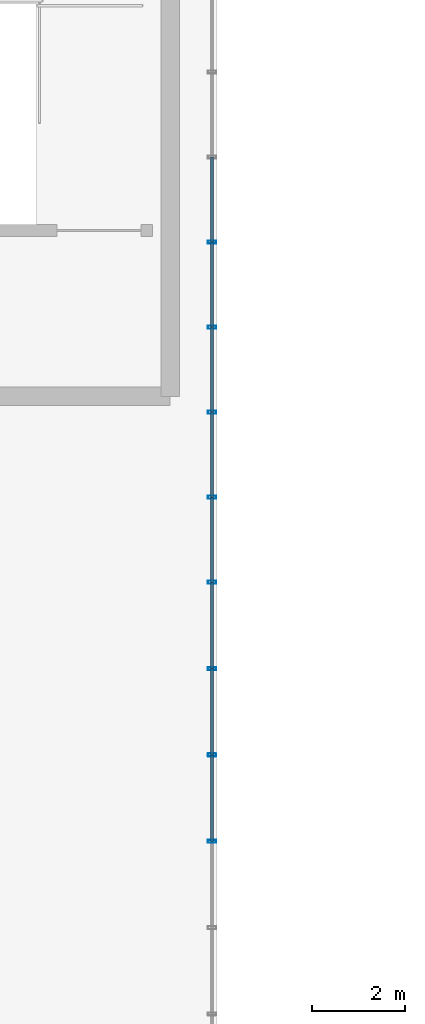
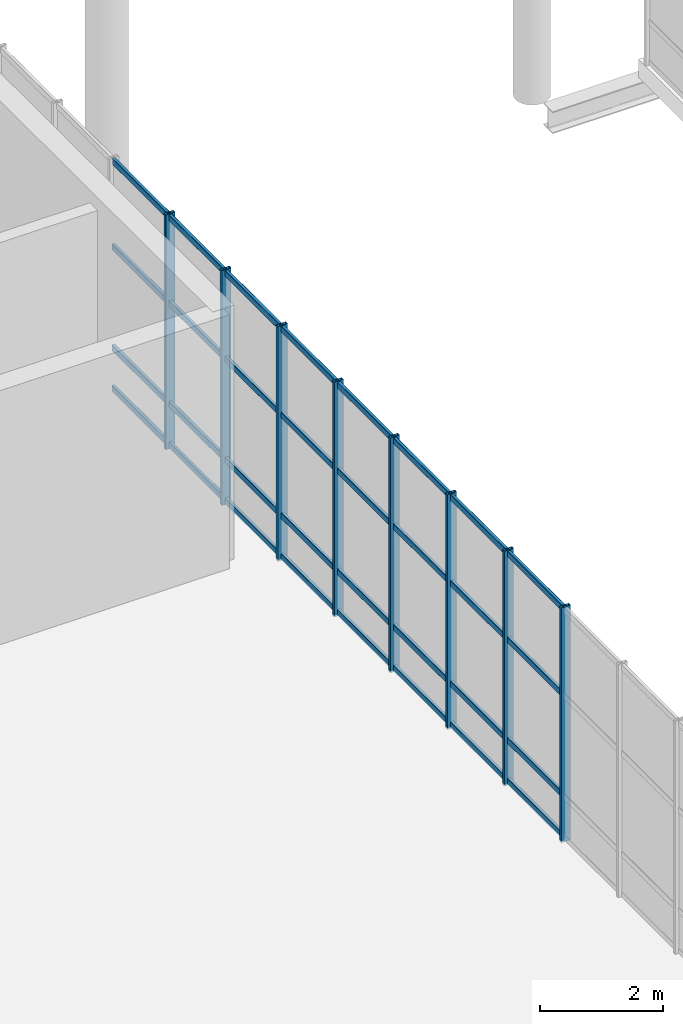
# One storey, part 107 of 176: 40 members, 2 elements without a shape of their own.
"""IFC4 building model written with IfcOpenShell, lengths in metres."""

from ifc_helpers import new_model, si_unit, direction, frame, origin, origin_2d, place, context, subcontext, project, spatial, hollow_rectangle, extrude, material, layer, layer_set, material_profile, profile_set, type_object, element, aggregate, save


model = new_model("IFC4")

# Units and contexts
model_context = context("Model", 3, precision=1e-05, world=origin(), true_north=direction((0.0, 1.0)))
body_context = subcontext(model_context, "Body", "Model", "MODEL_VIEW")
ifc_project = project(units=[si_unit("LENGTHUNIT", "METRE"), si_unit("AREAUNIT", "SQUARE_METRE"), si_unit("VOLUMEUNIT", "CUBIC_METRE"), si_unit("PLANEANGLEUNIT", "RADIAN"), si_unit("MASSUNIT", "GRAM", prefix="KILO")], contexts=[model_context])

# Site, building, storey
site_placement = place(None, origin())
site = spatial("IfcSite", under=ifc_project, at=site_placement, CompositionType="ELEMENT")
building_placement = place(site_placement, origin())
building = spatial("IfcBuilding", under=site, at=building_placement, Name="Khorjan Park Terminus", CompositionType="ELEMENT")
storey_placement = place(building_placement, frame((0.0, 0.0, 6.0)))
storey = spatial("IfcBuildingStorey", under=building, at=storey_placement, Name="L01", CompositionType="ELEMENT", Elevation=6.0)

# Curtain wall, members
ifc_material = material(Name="Anodized Bronze Aluminium", Category="aluminium")
ifc_layer = layer(ifc_material, 0.22)
ifc_layer_set = layer_set([ifc_layer], Name="Anodized Bronze Aluminium")
curtain_wall_type = type_object("IfcCurtainWallType", Name="CW-BRG-D", PredefinedType="NOTDEFINED", material=ifc_layer_set)
curtain_wall_1_placement = place(storey_placement, origin())
curtain_wall_1 = element("IfcCurtainWall", 1, at=curtain_wall_1_placement, inside=storey, type_object=curtain_wall_type, Name="Unitized curtain wall CW-D (CW-BRW-E-3)", PredefinedType="NOTDEFINED")
ifc_material_profile_1 = material_profile(ifc_material, hollow_rectangle(XDim=0.065, YDim=0.18, WallThickness=0.004, InnerFilletRadius=0.004, OuterFilletRadius=0.008, at=origin_2d()), Name="ALM 65x180x4")
ifc_profile_set_1 = profile_set([ifc_material_profile_1], Name="Anodized Bronze Aluminium")
member_type_1 = type_object("IfcMemberType", Name="ML-ALM-180", PredefinedType="MULLION", material=ifc_profile_set_1)
member_1_placement = place(storey_placement, frame((85.9, 135.4286, -0.035), z_axis=(0.0, 0.0, 1.0), x_axis=(0.0, 1.0, 0.0)))
member_1 = element("IfcMember", 2, at=member_1_placement, type_object=member_type_1, Name="Curtain-wall mullion ML-18 (CW-BRW-E-3-4)", PredefinedType="MULLION", context=body_context, shape_type="SweptSolid", body=[
    extrude(hollow_rectangle(XDim=0.065, YDim=0.18, WallThickness=0.004, InnerFilletRadius=0.004, OuterFilletRadius=0.008, at=origin_2d()), origin(), (0.0, 0.0, 1.0), 4.67),
])
member_2_placement = place(storey_placement, frame((85.9, 137.2857, -0.035), z_axis=(0.0, 0.0, 1.0), x_axis=(0.0, 1.0, 0.0)))
member_2 = element("IfcMember", 3, at=member_2_placement, type_object=member_type_1, Name="Curtain-wall mullion ML-18 (CW-BRW-E-3-5)", PredefinedType="MULLION", context=body_context, shape_type="SweptSolid", body=[
    extrude(hollow_rectangle(XDim=0.065, YDim=0.18, WallThickness=0.004, InnerFilletRadius=0.004, OuterFilletRadius=0.008, at=origin_2d()), origin(), (0.0, 0.0, 1.0), 4.67),
])
member_3_placement = place(storey_placement, frame((85.9, 139.1429, -0.035), z_axis=(0.0, 0.0, 1.0), x_axis=(0.0, 1.0, 0.0)))
member_3 = element("IfcMember", 4, at=member_3_placement, type_object=member_type_1, Name="Curtain-wall mullion ML-18 (CW-BRW-E-3-6)", PredefinedType="MULLION", context=body_context, shape_type="SweptSolid", body=[
    extrude(hollow_rectangle(XDim=0.065, YDim=0.18, WallThickness=0.004, InnerFilletRadius=0.004, OuterFilletRadius=0.008, at=origin_2d()), origin(), (0.0, 0.0, 1.0), 4.67),
])
member_4_placement = place(storey_placement, frame((85.9, 141.0, -0.035), z_axis=(0.0, 0.0, 1.0), x_axis=(0.0, 1.0, 0.0)))
member_4 = element("IfcMember", 5, at=member_4_placement, type_object=member_type_1, Name="Curtain-wall mullion ML-18 (CW-BRW-E-3-7)", PredefinedType="MULLION", context=body_context, shape_type="SweptSolid", body=[
    extrude(hollow_rectangle(XDim=0.065, YDim=0.18, WallThickness=0.004, InnerFilletRadius=0.004, OuterFilletRadius=0.008, at=origin_2d()), origin(), (0.0, 0.0, 1.0), 4.67),
])

curtain_wall_2_placement = place(storey_placement, origin())
curtain_wall_2 = element("IfcCurtainWall", 6, at=curtain_wall_2_placement, inside=storey, type_object=curtain_wall_type, Name="Unitized curtain wall CW-D (CW-BRW-E-4)", PredefinedType="NOTDEFINED")
member_5_placement = place(storey_placement, frame((85.9, 142.8286, -0.035), z_axis=(0.0, 0.0, 1.0), x_axis=(0.0, 1.0, 0.0)))
member_5 = element("IfcMember", 7, at=member_5_placement, type_object=member_type_1, Name="Curtain-wall mullion ML-18 (CW-BRW-E-4-1)", PredefinedType="MULLION", context=body_context, shape_type="SweptSolid", body=[
    extrude(hollow_rectangle(XDim=0.065, YDim=0.18, WallThickness=0.004, InnerFilletRadius=0.004, OuterFilletRadius=0.008, at=origin_2d()), origin(), (0.0, 0.0, 1.0), 4.67),
])
member_6_placement = place(storey_placement, frame((85.9, 144.6571, -0.035), z_axis=(0.0, 0.0, 1.0), x_axis=(0.0, 1.0, 0.0)))
member_6 = element("IfcMember", 8, at=member_6_placement, type_object=member_type_1, Name="Curtain-wall mullion ML-18 (CW-BRW-E-4-2)", PredefinedType="MULLION", context=body_context, shape_type="SweptSolid", body=[
    extrude(hollow_rectangle(XDim=0.065, YDim=0.18, WallThickness=0.004, InnerFilletRadius=0.004, OuterFilletRadius=0.008, at=origin_2d()), origin(), (0.0, 0.0, 1.0), 4.67),
])
member_7_placement = place(storey_placement, frame((85.9, 146.4857, -0.035), z_axis=(0.0, 0.0, 1.0), x_axis=(0.0, 1.0, 0.0)))
member_7 = element("IfcMember", 9, at=member_7_placement, type_object=member_type_1, Name="Curtain-wall mullion ML-18 (CW-BRW-E-4-3)", PredefinedType="MULLION", context=body_context, shape_type="SweptSolid", body=[
    extrude(hollow_rectangle(XDim=0.065, YDim=0.18, WallThickness=0.004, InnerFilletRadius=0.004, OuterFilletRadius=0.008, at=origin_2d()), origin(), (0.0, 0.0, 1.0), 4.67),
])
member_8_placement = place(storey_placement, frame((85.9, 148.3143, -0.035), z_axis=(0.0, 0.0, 1.0), x_axis=(0.0, 1.0, 0.0)))
member_8 = element("IfcMember", 10, at=member_8_placement, type_object=member_type_1, Name="Curtain-wall mullion ML-18 (CW-BRW-E-4-4)", PredefinedType="MULLION", context=body_context, shape_type="SweptSolid", body=[
    extrude(hollow_rectangle(XDim=0.065, YDim=0.18, WallThickness=0.004, InnerFilletRadius=0.004, OuterFilletRadius=0.008, at=origin_2d()), origin(), (0.0, 0.0, 1.0), 4.67),
])

# Member
ifc_material_profile_2 = material_profile(ifc_material, hollow_rectangle(XDim=0.06, YDim=0.12, WallThickness=0.004, InnerFilletRadius=0.004, OuterFilletRadius=0.008, at=origin_2d()), Name="ALT 60x120x4")
ifc_profile_set_2 = profile_set([ifc_material_profile_2], Name="Anodized Bronze Aluminium")
member_type_2 = type_object("IfcMemberType", Name="TR-ALT-120", PredefinedType="USERDEFINED", material=ifc_profile_set_2)
member_9_placement = place(storey_placement, frame((85.9, 135.4286, 0.04), z_axis=(0.0, 1.0, 0.0), x_axis=(-1.0, 0.0, 0.0)))
member_9 = element("IfcMember", 11, at=member_9_placement, type_object=member_type_2, Name="Curtain-wall transom TR-12 (CW-BRW-E-3-4-1)", ObjectType="TRANSOM", PredefinedType="USERDEFINED", context=body_context, shape_type="SweptSolid", body=[
    extrude(hollow_rectangle(XDim=0.06, YDim=0.12, WallThickness=0.004, InnerFilletRadius=0.004, OuterFilletRadius=0.008, at=origin_2d()), origin(), (0.0, 0.0, 1.0), 1.8571),
])

member_10_placement = place(storey_placement, frame((85.9, 135.4286, 0.85), z_axis=(0.0, 1.0, 0.0), x_axis=(-1.0, 0.0, 0.0)))
member_10 = element("IfcMember", 12, at=member_10_placement, type_object=member_type_2, Name="Curtain-wall transom TR-12 (CW-BRW-E-3-4-2)", ObjectType="TRANSOM", PredefinedType="USERDEFINED", context=body_context, shape_type="SweptSolid", body=[
    extrude(hollow_rectangle(XDim=0.06, YDim=0.12, WallThickness=0.004, InnerFilletRadius=0.004, OuterFilletRadius=0.008, at=origin_2d()), origin(), (0.0, 0.0, 1.0), 1.8571),
])

member_11_placement = place(storey_placement, frame((85.9, 135.4286, 2.852), z_axis=(0.0, 1.0, 0.0), x_axis=(-1.0, 0.0, 0.0)))
member_11 = element("IfcMember", 13, at=member_11_placement, type_object=member_type_2, Name="Curtain-wall transom TR-12 (CW-BRW-E-3-4-3)", ObjectType="TRANSOM", PredefinedType="USERDEFINED", context=body_context, shape_type="SweptSolid", body=[
    extrude(hollow_rectangle(XDim=0.06, YDim=0.12, WallThickness=0.004, InnerFilletRadius=0.004, OuterFilletRadius=0.008, at=origin_2d()), origin(), (0.0, 0.0, 1.0), 1.8571),
])

member_12_placement = place(storey_placement, frame((85.9, 135.4286, 4.56), z_axis=(0.0, 1.0, 0.0), x_axis=(-1.0, 0.0, 0.0)))
member_12 = element("IfcMember", 14, at=member_12_placement, type_object=member_type_2, Name="Curtain-wall transom TR-12 (CW-BRW-E-3-4-4)", ObjectType="TRANSOM", PredefinedType="USERDEFINED", context=body_context, shape_type="SweptSolid", body=[
    extrude(hollow_rectangle(XDim=0.06, YDim=0.12, WallThickness=0.004, InnerFilletRadius=0.004, OuterFilletRadius=0.008, at=origin_2d()), origin(), (0.0, 0.0, 1.0), 1.8571),
])

member_13_placement = place(storey_placement, frame((85.9, 137.2857, 0.04), z_axis=(0.0, 1.0, 0.0), x_axis=(-1.0, 0.0, 0.0)))
member_13 = element("IfcMember", 15, at=member_13_placement, type_object=member_type_2, Name="Curtain-wall transom TR-12 (CW-BRW-E-3-5-1)", ObjectType="TRANSOM", PredefinedType="USERDEFINED", context=body_context, shape_type="SweptSolid", body=[
    extrude(hollow_rectangle(XDim=0.06, YDim=0.12, WallThickness=0.004, InnerFilletRadius=0.004, OuterFilletRadius=0.008, at=origin_2d()), origin(), (0.0, 0.0, 1.0), 1.8572),
])

member_14_placement = place(storey_placement, frame((85.9, 137.2857, 0.85), z_axis=(0.0, 1.0, 0.0), x_axis=(-1.0, 0.0, 0.0)))
member_14 = element("IfcMember", 16, at=member_14_placement, type_object=member_type_2, Name="Curtain-wall transom TR-12 (CW-BRW-E-3-5-2)", ObjectType="TRANSOM", PredefinedType="USERDEFINED", context=body_context, shape_type="SweptSolid", body=[
    extrude(hollow_rectangle(XDim=0.06, YDim=0.12, WallThickness=0.004, InnerFilletRadius=0.004, OuterFilletRadius=0.008, at=origin_2d()), origin(), (0.0, 0.0, 1.0), 1.8572),
])

member_15_placement = place(storey_placement, frame((85.9, 137.2857, 2.852), z_axis=(0.0, 1.0, 0.0), x_axis=(-1.0, 0.0, 0.0)))
member_15 = element("IfcMember", 17, at=member_15_placement, type_object=member_type_2, Name="Curtain-wall transom TR-12 (CW-BRW-E-3-5-3)", ObjectType="TRANSOM", PredefinedType="USERDEFINED", context=body_context, shape_type="SweptSolid", body=[
    extrude(hollow_rectangle(XDim=0.06, YDim=0.12, WallThickness=0.004, InnerFilletRadius=0.004, OuterFilletRadius=0.008, at=origin_2d()), origin(), (0.0, 0.0, 1.0), 1.8572),
])

member_16_placement = place(storey_placement, frame((85.9, 137.2857, 4.56), z_axis=(0.0, 1.0, 0.0), x_axis=(-1.0, 0.0, 0.0)))
member_16 = element("IfcMember", 18, at=member_16_placement, type_object=member_type_2, Name="Curtain-wall transom TR-12 (CW-BRW-E-3-5-4)", ObjectType="TRANSOM", PredefinedType="USERDEFINED", context=body_context, shape_type="SweptSolid", body=[
    extrude(hollow_rectangle(XDim=0.06, YDim=0.12, WallThickness=0.004, InnerFilletRadius=0.004, OuterFilletRadius=0.008, at=origin_2d()), origin(), (0.0, 0.0, 1.0), 1.8572),
])

member_17_placement = place(storey_placement, frame((85.9, 139.1429, 0.04), z_axis=(0.0, 1.0, 0.0), x_axis=(-1.0, 0.0, 0.0)))
member_17 = element("IfcMember", 19, at=member_17_placement, type_object=member_type_2, Name="Curtain-wall transom TR-12 (CW-BRW-E-3-6-1)", ObjectType="TRANSOM", PredefinedType="USERDEFINED", context=body_context, shape_type="SweptSolid", body=[
    extrude(hollow_rectangle(XDim=0.06, YDim=0.12, WallThickness=0.004, InnerFilletRadius=0.004, OuterFilletRadius=0.008, at=origin_2d()), origin(), (0.0, 0.0, 1.0), 1.8571),
])

member_18_placement = place(storey_placement, frame((85.9, 139.1429, 0.85), z_axis=(0.0, 1.0, 0.0), x_axis=(-1.0, 0.0, 0.0)))
member_18 = element("IfcMember", 20, at=member_18_placement, type_object=member_type_2, Name="Curtain-wall transom TR-12 (CW-BRW-E-3-6-2)", ObjectType="TRANSOM", PredefinedType="USERDEFINED", context=body_context, shape_type="SweptSolid", body=[
    extrude(hollow_rectangle(XDim=0.06, YDim=0.12, WallThickness=0.004, InnerFilletRadius=0.004, OuterFilletRadius=0.008, at=origin_2d()), origin(), (0.0, 0.0, 1.0), 1.8571),
])

member_19_placement = place(storey_placement, frame((85.9, 139.1429, 2.852), z_axis=(0.0, 1.0, 0.0), x_axis=(-1.0, 0.0, 0.0)))
member_19 = element("IfcMember", 21, at=member_19_placement, type_object=member_type_2, Name="Curtain-wall transom TR-12 (CW-BRW-E-3-6-3)", ObjectType="TRANSOM", PredefinedType="USERDEFINED", context=body_context, shape_type="SweptSolid", body=[
    extrude(hollow_rectangle(XDim=0.06, YDim=0.12, WallThickness=0.004, InnerFilletRadius=0.004, OuterFilletRadius=0.008, at=origin_2d()), origin(), (0.0, 0.0, 1.0), 1.8571),
])

member_20_placement = place(storey_placement, frame((85.9, 139.1429, 4.56), z_axis=(0.0, 1.0, 0.0), x_axis=(-1.0, 0.0, 0.0)))
member_20 = element("IfcMember", 22, at=member_20_placement, type_object=member_type_2, Name="Curtain-wall transom TR-12 (CW-BRW-E-3-6-4)", ObjectType="TRANSOM", PredefinedType="USERDEFINED", context=body_context, shape_type="SweptSolid", body=[
    extrude(hollow_rectangle(XDim=0.06, YDim=0.12, WallThickness=0.004, InnerFilletRadius=0.004, OuterFilletRadius=0.008, at=origin_2d()), origin(), (0.0, 0.0, 1.0), 1.8571),
])

aggregate(curtain_wall_1, [member_1, member_2, member_3, member_4, member_9, member_10, member_11, member_12, member_13, member_14, member_15, member_16, member_17, member_18, member_19, member_20])

member_21_placement = place(storey_placement, frame((85.9, 141.0, 0.04), z_axis=(0.0, 1.0, 0.0), x_axis=(-1.0, 0.0, 0.0)))
member_21 = element("IfcMember", 23, at=member_21_placement, type_object=member_type_2, Name="Curtain-wall transom TR-12 (CW-BRW-E-4-0-1)", ObjectType="TRANSOM", PredefinedType="USERDEFINED", context=body_context, shape_type="SweptSolid", body=[
    extrude(hollow_rectangle(XDim=0.06, YDim=0.12, WallThickness=0.004, InnerFilletRadius=0.004, OuterFilletRadius=0.008, at=origin_2d()), origin(), (0.0, 0.0, 1.0), 1.8286),
])

member_22_placement = place(storey_placement, frame((85.9, 141.0, 0.85), z_axis=(0.0, 1.0, 0.0), x_axis=(-1.0, 0.0, 0.0)))
member_22 = element("IfcMember", 24, at=member_22_placement, type_object=member_type_2, Name="Curtain-wall transom TR-12 (CW-BRW-E-4-0-2)", ObjectType="TRANSOM", PredefinedType="USERDEFINED", context=body_context, shape_type="SweptSolid", body=[
    extrude(hollow_rectangle(XDim=0.06, YDim=0.12, WallThickness=0.004, InnerFilletRadius=0.004, OuterFilletRadius=0.008, at=origin_2d()), origin(), (0.0, 0.0, 1.0), 1.8286),
])

member_23_placement = place(storey_placement, frame((85.9, 141.0, 2.852), z_axis=(0.0, 1.0, 0.0), x_axis=(-1.0, 0.0, 0.0)))
member_23 = element("IfcMember", 25, at=member_23_placement, type_object=member_type_2, Name="Curtain-wall transom TR-12 (CW-BRW-E-4-0-3)", ObjectType="TRANSOM", PredefinedType="USERDEFINED", context=body_context, shape_type="SweptSolid", body=[
    extrude(hollow_rectangle(XDim=0.06, YDim=0.12, WallThickness=0.004, InnerFilletRadius=0.004, OuterFilletRadius=0.008, at=origin_2d()), origin(), (0.0, 0.0, 1.0), 1.8286),
])

member_24_placement = place(storey_placement, frame((85.9, 141.0, 4.56), z_axis=(0.0, 1.0, 0.0), x_axis=(-1.0, 0.0, 0.0)))
member_24 = element("IfcMember", 26, at=member_24_placement, type_object=member_type_2, Name="Curtain-wall transom TR-12 (CW-BRW-E-4-0-4)", ObjectType="TRANSOM", PredefinedType="USERDEFINED", context=body_context, shape_type="SweptSolid", body=[
    extrude(hollow_rectangle(XDim=0.06, YDim=0.12, WallThickness=0.004, InnerFilletRadius=0.004, OuterFilletRadius=0.008, at=origin_2d()), origin(), (0.0, 0.0, 1.0), 1.8286),
])

member_25_placement = place(storey_placement, frame((85.9, 142.8286, 0.04), z_axis=(0.0, 1.0, 0.0), x_axis=(-1.0, 0.0, 0.0)))
member_25 = element("IfcMember", 27, at=member_25_placement, type_object=member_type_2, Name="Curtain-wall transom TR-12 (CW-BRW-E-4-1-1)", ObjectType="TRANSOM", PredefinedType="USERDEFINED", context=body_context, shape_type="SweptSolid", body=[
    extrude(hollow_rectangle(XDim=0.06, YDim=0.12, WallThickness=0.004, InnerFilletRadius=0.004, OuterFilletRadius=0.008, at=origin_2d()), origin(), (0.0, 0.0, 1.0), 1.8285),
])

member_26_placement = place(storey_placement, frame((85.9, 142.8286, 0.85), z_axis=(0.0, 1.0, 0.0), x_axis=(-1.0, 0.0, 0.0)))
member_26 = element("IfcMember", 28, at=member_26_placement, type_object=member_type_2, Name="Curtain-wall transom TR-12 (CW-BRW-E-4-1-2)", ObjectType="TRANSOM", PredefinedType="USERDEFINED", context=body_context, shape_type="SweptSolid", body=[
    extrude(hollow_rectangle(XDim=0.06, YDim=0.12, WallThickness=0.004, InnerFilletRadius=0.004, OuterFilletRadius=0.008, at=origin_2d()), origin(), (0.0, 0.0, 1.0), 1.8285),
])

member_27_placement = place(storey_placement, frame((85.9, 142.8286, 2.852), z_axis=(0.0, 1.0, 0.0), x_axis=(-1.0, 0.0, 0.0)))
member_27 = element("IfcMember", 29, at=member_27_placement, type_object=member_type_2, Name="Curtain-wall transom TR-12 (CW-BRW-E-4-1-3)", ObjectType="TRANSOM", PredefinedType="USERDEFINED", context=body_context, shape_type="SweptSolid", body=[
    extrude(hollow_rectangle(XDim=0.06, YDim=0.12, WallThickness=0.004, InnerFilletRadius=0.004, OuterFilletRadius=0.008, at=origin_2d()), origin(), (0.0, 0.0, 1.0), 1.8285),
])

member_28_placement = place(storey_placement, frame((85.9, 142.8286, 4.56), z_axis=(0.0, 1.0, 0.0), x_axis=(-1.0, 0.0, 0.0)))
member_28 = element("IfcMember", 30, at=member_28_placement, type_object=member_type_2, Name="Curtain-wall transom TR-12 (CW-BRW-E-4-1-4)", ObjectType="TRANSOM", PredefinedType="USERDEFINED", context=body_context, shape_type="SweptSolid", body=[
    extrude(hollow_rectangle(XDim=0.06, YDim=0.12, WallThickness=0.004, InnerFilletRadius=0.004, OuterFilletRadius=0.008, at=origin_2d()), origin(), (0.0, 0.0, 1.0), 1.8285),
])

member_29_placement = place(storey_placement, frame((85.9, 144.6571, 0.04), z_axis=(0.0, 1.0, 0.0), x_axis=(-1.0, 0.0, 0.0)))
member_29 = element("IfcMember", 31, at=member_29_placement, type_object=member_type_2, Name="Curtain-wall transom TR-12 (CW-BRW-E-4-2-1)", ObjectType="TRANSOM", PredefinedType="USERDEFINED", context=body_context, shape_type="SweptSolid", body=[
    extrude(hollow_rectangle(XDim=0.06, YDim=0.12, WallThickness=0.004, InnerFilletRadius=0.004, OuterFilletRadius=0.008, at=origin_2d()), origin(), (0.0, 0.0, 1.0), 1.8286),
])

member_30_placement = place(storey_placement, frame((85.9, 144.6571, 0.85), z_axis=(0.0, 1.0, 0.0), x_axis=(-1.0, 0.0, 0.0)))
member_30 = element("IfcMember", 32, at=member_30_placement, type_object=member_type_2, Name="Curtain-wall transom TR-12 (CW-BRW-E-4-2-2)", ObjectType="TRANSOM", PredefinedType="USERDEFINED", context=body_context, shape_type="SweptSolid", body=[
    extrude(hollow_rectangle(XDim=0.06, YDim=0.12, WallThickness=0.004, InnerFilletRadius=0.004, OuterFilletRadius=0.008, at=origin_2d()), origin(), (0.0, 0.0, 1.0), 1.8286),
])

member_31_placement = place(storey_placement, frame((85.9, 144.6571, 2.852), z_axis=(0.0, 1.0, 0.0), x_axis=(-1.0, 0.0, 0.0)))
member_31 = element("IfcMember", 33, at=member_31_placement, type_object=member_type_2, Name="Curtain-wall transom TR-12 (CW-BRW-E-4-2-3)", ObjectType="TRANSOM", PredefinedType="USERDEFINED", context=body_context, shape_type="SweptSolid", body=[
    extrude(hollow_rectangle(XDim=0.06, YDim=0.12, WallThickness=0.004, InnerFilletRadius=0.004, OuterFilletRadius=0.008, at=origin_2d()), origin(), (0.0, 0.0, 1.0), 1.8286),
])

member_32_placement = place(storey_placement, frame((85.9, 144.6571, 4.56), z_axis=(0.0, 1.0, 0.0), x_axis=(-1.0, 0.0, 0.0)))
member_32 = element("IfcMember", 34, at=member_32_placement, type_object=member_type_2, Name="Curtain-wall transom TR-12 (CW-BRW-E-4-2-4)", ObjectType="TRANSOM", PredefinedType="USERDEFINED", context=body_context, shape_type="SweptSolid", body=[
    extrude(hollow_rectangle(XDim=0.06, YDim=0.12, WallThickness=0.004, InnerFilletRadius=0.004, OuterFilletRadius=0.008, at=origin_2d()), origin(), (0.0, 0.0, 1.0), 1.8286),
])

member_33_placement = place(storey_placement, frame((85.9, 146.4857, 0.04), z_axis=(0.0, 1.0, 0.0), x_axis=(-1.0, 0.0, 0.0)))
member_33 = element("IfcMember", 35, at=member_33_placement, type_object=member_type_2, Name="Curtain-wall transom TR-12 (CW-BRW-E-4-3-1)", ObjectType="TRANSOM", PredefinedType="USERDEFINED", context=body_context, shape_type="SweptSolid", body=[
    extrude(hollow_rectangle(XDim=0.06, YDim=0.12, WallThickness=0.004, InnerFilletRadius=0.004, OuterFilletRadius=0.008, at=origin_2d()), origin(), (0.0, 0.0, 1.0), 1.8286),
])

member_34_placement = place(storey_placement, frame((85.9, 146.4857, 0.85), z_axis=(0.0, 1.0, 0.0), x_axis=(-1.0, 0.0, 0.0)))
member_34 = element("IfcMember", 36, at=member_34_placement, type_object=member_type_2, Name="Curtain-wall transom TR-12 (CW-BRW-E-4-3-2)", ObjectType="TRANSOM", PredefinedType="USERDEFINED", context=body_context, shape_type="SweptSolid", body=[
    extrude(hollow_rectangle(XDim=0.06, YDim=0.12, WallThickness=0.004, InnerFilletRadius=0.004, OuterFilletRadius=0.008, at=origin_2d()), origin(), (0.0, 0.0, 1.0), 1.8286),
])

member_35_placement = place(storey_placement, frame((85.9, 146.4857, 2.852), z_axis=(0.0, 1.0, 0.0), x_axis=(-1.0, 0.0, 0.0)))
member_35 = element("IfcMember", 37, at=member_35_placement, type_object=member_type_2, Name="Curtain-wall transom TR-12 (CW-BRW-E-4-3-3)", ObjectType="TRANSOM", PredefinedType="USERDEFINED", context=body_context, shape_type="SweptSolid", body=[
    extrude(hollow_rectangle(XDim=0.06, YDim=0.12, WallThickness=0.004, InnerFilletRadius=0.004, OuterFilletRadius=0.008, at=origin_2d()), origin(), (0.0, 0.0, 1.0), 1.8286),
])

member_36_placement = place(storey_placement, frame((85.9, 146.4857, 4.56), z_axis=(0.0, 1.0, 0.0), x_axis=(-1.0, 0.0, 0.0)))
member_36 = element("IfcMember", 38, at=member_36_placement, type_object=member_type_2, Name="Curtain-wall transom TR-12 (CW-BRW-E-4-3-4)", ObjectType="TRANSOM", PredefinedType="USERDEFINED", context=body_context, shape_type="SweptSolid", body=[
    extrude(hollow_rectangle(XDim=0.06, YDim=0.12, WallThickness=0.004, InnerFilletRadius=0.004, OuterFilletRadius=0.008, at=origin_2d()), origin(), (0.0, 0.0, 1.0), 1.8286),
])

member_37_placement = place(storey_placement, frame((85.9, 148.3143, 0.04), z_axis=(0.0, 1.0, 0.0), x_axis=(-1.0, 0.0, 0.0)))
member_37 = element("IfcMember", 39, at=member_37_placement, type_object=member_type_2, Name="Curtain-wall transom TR-12 (CW-BRW-E-4-4-1)", ObjectType="TRANSOM", PredefinedType="USERDEFINED", context=body_context, shape_type="SweptSolid", body=[
    extrude(hollow_rectangle(XDim=0.06, YDim=0.12, WallThickness=0.004, InnerFilletRadius=0.004, OuterFilletRadius=0.008, at=origin_2d()), origin(), (0.0, 0.0, 1.0), 1.8286),
])

member_38_placement = place(storey_placement, frame((85.9, 148.3143, 0.85), z_axis=(0.0, 1.0, 0.0), x_axis=(-1.0, 0.0, 0.0)))
member_38 = element("IfcMember", 40, at=member_38_placement, type_object=member_type_2, Name="Curtain-wall transom TR-12 (CW-BRW-E-4-4-2)", ObjectType="TRANSOM", PredefinedType="USERDEFINED", context=body_context, shape_type="SweptSolid", body=[
    extrude(hollow_rectangle(XDim=0.06, YDim=0.12, WallThickness=0.004, InnerFilletRadius=0.004, OuterFilletRadius=0.008, at=origin_2d()), origin(), (0.0, 0.0, 1.0), 1.8286),
])

member_39_placement = place(storey_placement, frame((85.9, 148.3143, 2.852), z_axis=(0.0, 1.0, 0.0), x_axis=(-1.0, 0.0, 0.0)))
member_39 = element("IfcMember", 41, at=member_39_placement, type_object=member_type_2, Name="Curtain-wall transom TR-12 (CW-BRW-E-4-4-3)", ObjectType="TRANSOM", PredefinedType="USERDEFINED", context=body_context, shape_type="SweptSolid", body=[
    extrude(hollow_rectangle(XDim=0.06, YDim=0.12, WallThickness=0.004, InnerFilletRadius=0.004, OuterFilletRadius=0.008, at=origin_2d()), origin(), (0.0, 0.0, 1.0), 1.8286),
])

member_40_placement = place(storey_placement, frame((85.9, 148.3143, 4.56), z_axis=(0.0, 1.0, 0.0), x_axis=(-1.0, 0.0, 0.0)))
member_40 = element("IfcMember", 42, at=member_40_placement, type_object=member_type_2, Name="Curtain-wall transom TR-12 (CW-BRW-E-4-4-4)", ObjectType="TRANSOM", PredefinedType="USERDEFINED", context=body_context, shape_type="SweptSolid", body=[
    extrude(hollow_rectangle(XDim=0.06, YDim=0.12, WallThickness=0.004, InnerFilletRadius=0.004, OuterFilletRadius=0.008, at=origin_2d()), origin(), (0.0, 0.0, 1.0), 1.8286),
])

aggregate(curtain_wall_2, [member_5, member_6, member_7, member_8, member_21, member_22, member_23, member_24, member_25, member_26, member_27, member_28, member_29, member_30, member_31, member_32, member_33, member_34, member_35, member_36, member_37, member_38, member_39, member_40])

save(model, "model.ifc")
